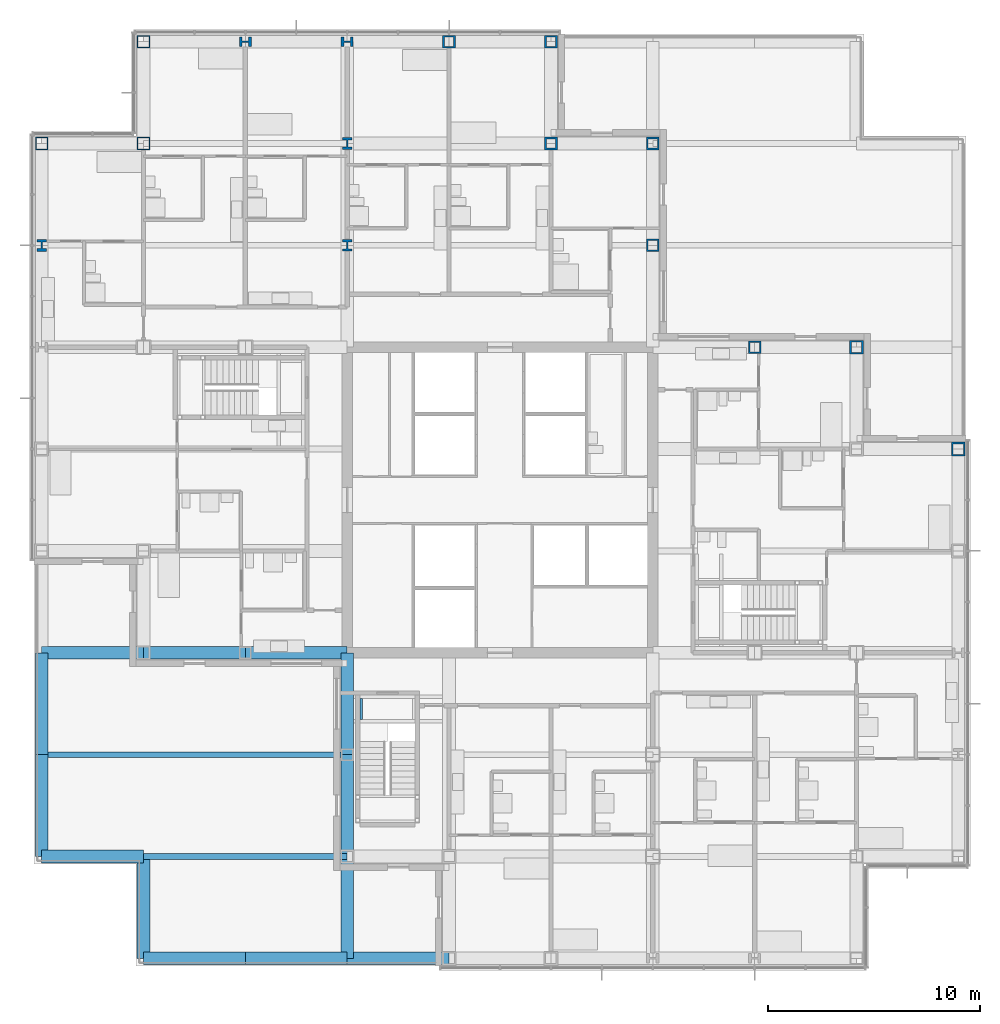
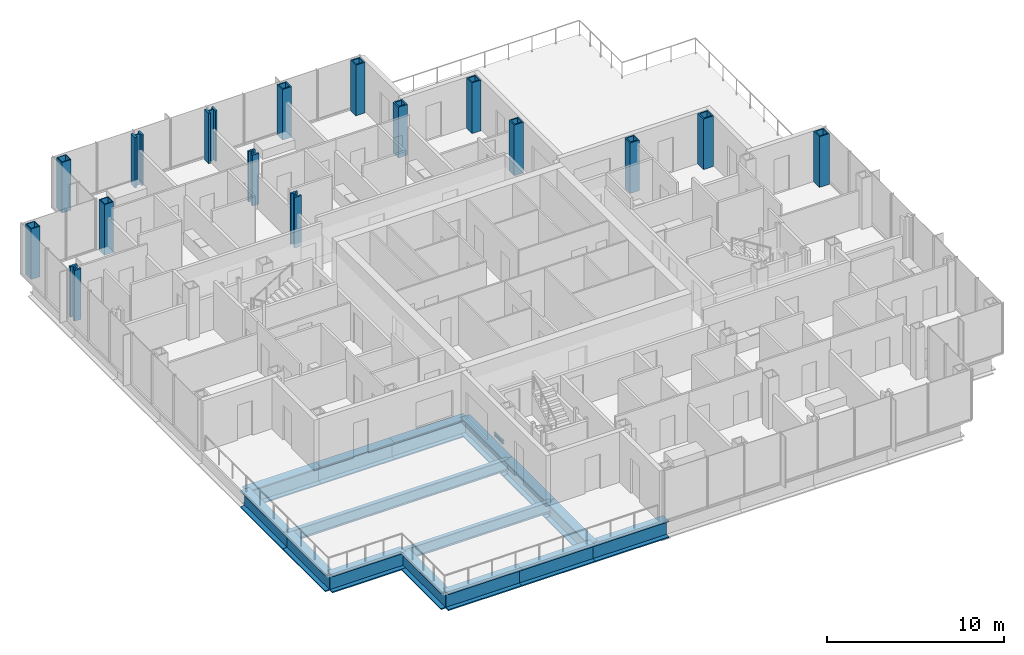
# One storey, part 5 of 19: 16 beams, 16 columns.
"""IFC4 building model written with IfcOpenShell, lengths in metres."""

from ifc_helpers import new_model, si_unit, direction, frame, origin, origin_2d, place, context, subcontext, project, spatial, hollow_rectangle, i_section, extrude, material, material_profile, profile_set, type_object, element, save


model = new_model("IFC4")

# Units and contexts
model_context = context("Model", 3, precision=1e-05, world=origin(), true_north=direction((0.0, 1.0)))
body_context = subcontext(model_context, "Body", "Model", "MODEL_VIEW")
ifc_project = project(units=[si_unit("LENGTHUNIT", "METRE"), si_unit("AREAUNIT", "SQUARE_METRE"), si_unit("VOLUMEUNIT", "CUBIC_METRE"), si_unit("PLANEANGLEUNIT", "RADIAN"), si_unit("MASSUNIT", "GRAM", prefix="KILO")], contexts=[model_context])

# Site, building, storey
site_placement = place(None, origin())
site = spatial("IfcSite", under=ifc_project, at=site_placement, CompositionType="ELEMENT")
building_placement = place(site_placement, origin())
building = spatial("IfcBuilding", under=site, at=building_placement, Name="Kvirike Care Tower", CompositionType="ELEMENT")
storey_placement = place(building_placement, frame((0.0, 0.0, 84.0)))
storey = spatial("IfcBuildingStorey", under=building, at=storey_placement, Name="L22", CompositionType="ELEMENT", Elevation=84.0)

# Columns
ifc_material_1 = material(Name="Steel S460", Category="steel")
ifc_material_profile_1 = material_profile(ifc_material_1, hollow_rectangle(XDim=0.60009765625, YDim=0.60009765625, WallThickness=0.050048828125, at=origin_2d()), Name="BX 600x600x50")
ifc_profile_set_1 = profile_set([ifc_material_profile_1], Name="Steel S460")
column_type_1 = type_object("IfcColumnType", Name="COLUMN BX 600x600x50", PredefinedType="COLUMN", material=ifc_profile_set_1)
for number, where, z_axis, x_axis, name in (
    (1, (0.0, 52.800048828125, 0.0), (0.0, 0.0, 1.0), (0.0, 1.0, 0.0), "Column M3 L22"),
    (2, (4.800048828125, 52.800048828125, 0.0), (0.0, 0.0, 1.0), (0.0, 1.0, 0.0), "Column M4 L22"),
    (3, (4.800048828125, 57.60009765625, 0.0), (0.0, 0.0, 1.0), (0.0, 1.0, 0.0), "Column N4 L22"),
):
    element("IfcColumn", number, at=place(storey_placement, frame(where, z_axis=z_axis, x_axis=x_axis)), inside=storey, type_object=column_type_1, Name=name, PredefinedType="COLUMN", context=body_context, shape_type="SweptSolid", body=[
        extrude(hollow_rectangle(XDim=0.60009765625, YDim=0.60009765625, WallThickness=0.050048828125, at=origin_2d()), origin(), (0.0, 0.0, 1.0), 3.5),
    ])
ifc_material_2 = material(Name="Steel S460", Category="steel")
ifc_material_profile_2 = material_profile(ifc_material_2, hollow_rectangle(XDim=0.60009765625, YDim=0.60009765625, WallThickness=0.080078125, at=origin_2d()), Name="BX 600x600x80")
ifc_profile_set_2 = profile_set([ifc_material_profile_2], Name="Steel S460")
column_type_2 = type_object("IfcColumnType", Name="COLUMN BX 600x600x80", PredefinedType="COLUMN", material=ifc_profile_set_2)
for number, where, z_axis, x_axis, name in (
    (4, (19.199951171875, 57.60009765625, 0.0), (0.0, 0.0, 1.0), (0.0, 1.0, 0.0), "Column N7 L22"),
    (5, (24.0, 52.800048828125, 0.0), (0.0, 0.0, 1.0), (0.0, 1.0, 0.0), "Column M8 L22"),
    (6, (24.0, 57.60009765625, 0.0), (0.0, 0.0, 1.0), (0.0, 1.0, 0.0), "Column N8 L22"),
    (7, (28.800048828125, 48.0, 0.0), (0.0, 0.0, 1.0), (1.0, 0.0, 0.0), "Column L9 L22"),
    (8, (28.800048828125, 52.800048828125, 0.0), (0.0, 0.0, 1.0), (0.0, 1.0, 0.0), "Column M9 L22"),
    (9, (33.60009765625, 43.199951171875, 0.0), (0.0, 0.0, 1.0), (0.0, 1.0, 0.0), "Column K10 L22"),
):
    element("IfcColumn", number, at=place(storey_placement, frame(where, z_axis=z_axis, x_axis=x_axis)), inside=storey, type_object=column_type_2, Name=name, PredefinedType="COLUMN", context=body_context, shape_type="SweptSolid", body=[
        extrude(hollow_rectangle(XDim=0.60009765625, YDim=0.60009765625, WallThickness=0.080078125, at=origin_2d()), origin(), (0.0, 0.0, 1.0), 3.5),
    ])
ifc_material_3 = material(Name="Steel S460", Category="steel")
ifc_material_profile_3 = material_profile(ifc_material_3, hollow_rectangle(XDim=0.64990234375, YDim=0.64990234375, WallThickness=0.080078125, at=origin_2d()), Name="BX 650x650x80")
ifc_profile_set_3 = profile_set([ifc_material_profile_3], Name="Steel S460")
column_type_3 = type_object("IfcColumnType", Name="COLUMN BX 650x650x80", PredefinedType="COLUMN", material=ifc_profile_set_3)
for number, where, z_axis, x_axis, name in (
    (10, (38.39990234375, 43.199951171875, 0.0), (0.0, 0.0, 1.0), (0.0, 1.0, 0.0), "Column K11 L22"),
    (11, (43.199951171875, 38.39990234375, 0.0), (0.0, 0.0, 1.0), (0.0, 1.0, 0.0), "Column J12 L22"),
):
    element("IfcColumn", number, at=place(storey_placement, frame(where, z_axis=z_axis, x_axis=x_axis)), inside=storey, type_object=column_type_3, Name=name, PredefinedType="COLUMN", context=body_context, shape_type="SweptSolid", body=[
        extrude(hollow_rectangle(XDim=0.64990234375, YDim=0.64990234375, WallThickness=0.080078125, at=origin_2d()), origin(), (0.0, 0.0, 1.0), 3.5),
    ])
ifc_material_4 = material(Name="Steel S460", Category="steel")
ifc_material_profile_4 = material_profile(ifc_material_4, i_section(OverallWidth=0.4541015625, OverallDepth=0.569091796875, WebThickness=0.077880859375, FlangeThickness=0.125, FilletRadius=0.014892578125, at=origin_2d()), Name="HD 400x1086")
ifc_profile_set_4 = profile_set([ifc_material_profile_4], Name="Steel S460")
column_type_4 = type_object("IfcColumnType", Name="COLUMN HD 400x1086", PredefinedType="COLUMN", material=ifc_profile_set_4)
for number, where, z_axis, x_axis, name in (
    (12, (0.0, 48.0, 0.0), (0.0, 0.0, 1.0), (1.0, 0.0, 0.0), "Column L3 L22"),
    (13, (9.60009765625, 57.60009765625, 0.0), (0.0, 0.0, 1.0), (0.0, 1.0, 0.0), "Column N5 L22"),
    (14, (14.39990234375, 57.60009765625, 0.0), (0.0, 0.0, 1.0), (0.0, 1.0, 0.0), "Column N6 L22"),
):
    element("IfcColumn", number, at=place(storey_placement, frame(where, z_axis=z_axis, x_axis=x_axis)), inside=storey, type_object=column_type_4, Name=name, PredefinedType="COLUMN", context=body_context, shape_type="SweptSolid", body=[
        extrude(i_section(OverallWidth=0.4541015625, OverallDepth=0.569091796875, WebThickness=0.077880859375, FlangeThickness=0.125, FilletRadius=0.014892578125, at=origin_2d()), origin(), (0.0, 0.0, 1.0), 3.5),
    ])
ifc_material_5 = material(Name="Steel S460", Category="steel")
ifc_material_profile_5 = material_profile(ifc_material_5, i_section(OverallWidth=0.447998046875, OverallDepth=0.550048828125, WebThickness=0.072021484375, FlangeThickness=0.114990234375, FilletRadius=0.014892578125, at=origin_2d()), Name="HD 400x990")
ifc_profile_set_5 = profile_set([ifc_material_profile_5], Name="Steel S460")
column_type_5 = type_object("IfcColumnType", Name="COLUMN HD 400x990", PredefinedType="COLUMN", material=ifc_profile_set_5)
for number, where, z_axis, x_axis, name in (
    (15, (14.39990234375, 48.0, 0.0), (0.0, 0.0, 1.0), (1.0, 0.0, 0.0), "Column L6 L22"),
    (16, (14.39990234375, 52.800048828125, 0.0), (0.0, 0.0, 1.0), (1.0, 0.0, 0.0), "Column M6 L22"),
):
    element("IfcColumn", number, at=place(storey_placement, frame(where, z_axis=z_axis, x_axis=x_axis)), inside=storey, type_object=column_type_5, Name=name, PredefinedType="COLUMN", context=body_context, shape_type="SweptSolid", body=[
        extrude(i_section(OverallWidth=0.447998046875, OverallDepth=0.550048828125, WebThickness=0.072021484375, FlangeThickness=0.114990234375, FilletRadius=0.014892578125, at=origin_2d()), origin(), (0.0, 0.0, 1.0), 3.5),
    ])

# Beams
ifc_material_6 = material(Name="Steel S355", Category="steel")
ifc_material_profile_6 = material_profile(ifc_material_6, i_section(OverallWidth=0.26806640625, OverallDepth=0.77001953125, WebThickness=0.015625, FlangeThickness=0.025390625, FilletRadius=0.01708984375, at=origin_2d()), Name="IPE 750x196")
ifc_profile_set_6 = profile_set([ifc_material_profile_6], Name="Steel S355")
beam_type_1 = type_object("IfcBeamType", Name="FLOOR BEAM IPE 750x196", PredefinedType="BEAM", material=ifc_profile_set_6)
beam_1_placement = place(storey_placement, frame((4.800048828125, 19.199951171875, -0.554931640625), z_axis=(1.0, 0.0, 0.0), x_axis=(0.0, 1.0, 0.0)))
element("IfcBeam", 17, at=beam_1_placement, inside=storey, type_object=beam_type_1, Name="Floor Beam E4-E6 L22", PredefinedType="BEAM", context=body_context, shape_type="SweptSolid", body=[
    extrude(i_section(OverallWidth=0.26806640625, OverallDepth=0.77001953125, WebThickness=0.015625, FlangeThickness=0.025390625, FilletRadius=0.01708984375, at=origin_2d()), origin(), (0.0, 0.0, 1.0), 9.599853515625),
])
beam_2_placement = place(storey_placement, frame((0.0, 24.0, -0.554931640625), z_axis=(1.0, 0.0, 0.0), x_axis=(0.0, 1.0, 0.0)))
element("IfcBeam", 18, at=beam_2_placement, inside=storey, type_object=beam_type_1, Name="Floor Beam F3-F6 L22", PredefinedType="BEAM", context=body_context, shape_type="SweptSolid", body=[
    extrude(i_section(OverallWidth=0.26806640625, OverallDepth=0.77001953125, WebThickness=0.015625, FlangeThickness=0.025390625, FilletRadius=0.01708984375, at=origin_2d()), origin(), (0.0, 0.0, 1.0), 14.39990234375),
])
ifc_material_7 = material(Name="Steel S355", Category="steel")
ifc_material_profile_7 = material_profile(ifc_material_7, i_section(OverallWidth=0.60009765625, OverallDepth=1.199951171875, WebThickness=0.0400390625, FlangeThickness=0.080078125, at=origin_2d()), Name="PG 1200x600x40x80")
ifc_profile_set_7 = profile_set([ifc_material_profile_7], Name="Steel S355")
beam_type_2 = type_object("IfcBeamType", Name="FRAME BEAM PG 1200x600x40x80", PredefinedType="BEAM", material=ifc_profile_set_7)
for number, where, z_axis, x_axis, name in (
    (19, (0.0, 28.800048828125, -0.77001953125), (1.0, 0.0, 0.0), (0.0, 1.0, 0.0), "Frame Beam G3-G4 L22"),
    (20, (14.39990234375, 14.39990234375, -0.77001953125), (0.0, 1.0, 0.0), (-1.0, 0.0, 0.0), "Frame Beam D6-E6 L22"),
):
    element("IfcBeam", number, at=place(storey_placement, frame(where, z_axis=z_axis, x_axis=x_axis)), inside=storey, type_object=beam_type_2, Name=name, PredefinedType="BEAM", context=body_context, shape_type="SweptSolid", body=[
        extrude(i_section(OverallWidth=0.60009765625, OverallDepth=1.199951171875, WebThickness=0.0400390625, FlangeThickness=0.080078125, at=origin_2d()), origin(), (0.0, 0.0, 1.0), 4.800048828125),
    ])
ifc_material_8 = material(Name="Steel S355", Category="steel")
ifc_material_profile_8 = material_profile(ifc_material_8, i_section(OverallWidth=0.60009765625, OverallDepth=1.199951171875, WebThickness=0.0400390625, FlangeThickness=0.080078125, at=origin_2d()), Name="PG 1200x600x40x80")
ifc_profile_set_8 = profile_set([ifc_material_profile_8], Name="Steel S355")
beam_type_3 = type_object("IfcBeamType", Name="SPANDREL PG 1200x600x40x80", PredefinedType="SPANDREL", material=ifc_profile_set_8)
beam_3_placement = place(storey_placement, frame((4.800048828125, 14.39990234375, -0.77001953125), z_axis=(1.0, 0.0, 0.0), x_axis=(0.0, 1.0, 0.0)))
element("IfcBeam", 21, at=beam_3_placement, inside=storey, type_object=beam_type_3, Name="Spandrel D4-D5 L22", PredefinedType="SPANDREL", context=body_context, shape_type="SweptSolid", body=[
    extrude(i_section(OverallWidth=0.60009765625, OverallDepth=1.199951171875, WebThickness=0.0400390625, FlangeThickness=0.080078125, at=origin_2d()), origin(), (0.0, 0.0, 1.0), 4.800048828125),
])
beam_4_placement = place(storey_placement, frame((9.60009765625, 14.39990234375, -0.77001953125), z_axis=(1.0, 0.0, 0.0), x_axis=(0.0, 1.0, 0.0)))
element("IfcBeam", 22, at=beam_4_placement, inside=storey, type_object=beam_type_3, Name="Spandrel D5-D6 L22", PredefinedType="SPANDREL", context=body_context, shape_type="SweptSolid", body=[
    extrude(i_section(OverallWidth=0.60009765625, OverallDepth=1.199951171875, WebThickness=0.0400390625, FlangeThickness=0.080078125, at=origin_2d()), origin(), (0.0, 0.0, 1.0), 4.7998046875),
])
for number, where, z_axis, x_axis, name in (
    (23, (14.39990234375, 14.39990234375, -0.77001953125), (1.0, 0.0, 0.0), (0.0, 1.0, 0.0), "Spandrel D6-D7 L22"),
    (24, (0.0, 19.199951171875, -0.77001953125), (1.0, 0.0, 0.0), (0.0, 1.0, 0.0), "Spandrel E3-E4 L22"),
    (25, (4.800048828125, 28.800048828125, -0.77001953125), (1.0, 0.0, 0.0), (0.0, 1.0, 0.0), "Spandrel G4-G5 L22"),
):
    element("IfcBeam", number, at=place(storey_placement, frame(where, z_axis=z_axis, x_axis=x_axis)), inside=storey, type_object=beam_type_3, Name=name, PredefinedType="SPANDREL", context=body_context, shape_type="SweptSolid", body=[
        extrude(i_section(OverallWidth=0.60009765625, OverallDepth=1.199951171875, WebThickness=0.0400390625, FlangeThickness=0.080078125, at=origin_2d()), origin(), (0.0, 0.0, 1.0), 4.800048828125),
    ])
beam_5_placement = place(storey_placement, frame((9.60009765625, 28.800048828125, -0.77001953125), z_axis=(1.0, 0.0, 0.0), x_axis=(0.0, 1.0, 0.0)))
element("IfcBeam", 26, at=beam_5_placement, inside=storey, type_object=beam_type_3, Name="Spandrel G5-G6 L22", PredefinedType="SPANDREL", context=body_context, shape_type="SweptSolid", body=[
    extrude(i_section(OverallWidth=0.60009765625, OverallDepth=1.199951171875, WebThickness=0.0400390625, FlangeThickness=0.080078125, at=origin_2d()), origin(), (0.0, 0.0, 1.0), 4.7998046875),
])
for number, where, z_axis, x_axis, name in (
    (27, (0.0, 19.199951171875, -0.77001953125), (0.0, 1.0, 0.0), (-1.0, 0.0, 0.0), "Spandrel E3-F3 L22"),
    (28, (0.0, 24.0, -0.77001953125), (0.0, 1.0, 0.0), (-1.0, 0.0, 0.0), "Spandrel F3-G3 L22"),
    (29, (4.800048828125, 14.39990234375, -0.77001953125), (0.0, 1.0, 0.0), (-1.0, 0.0, 0.0), "Spandrel D4-E4 L22"),
    (30, (14.39990234375, 19.199951171875, -0.77001953125), (0.0, 1.0, 0.0), (-1.0, 0.0, 0.0), "Spandrel E6-F6 L22"),
    (31, (14.39990234375, 24.0, -0.77001953125), (0.0, 1.0, 0.0), (-1.0, 0.0, 0.0), "Spandrel F6-G6 L22"),
):
    element("IfcBeam", number, at=place(storey_placement, frame(where, z_axis=z_axis, x_axis=x_axis)), inside=storey, type_object=beam_type_3, Name=name, PredefinedType="SPANDREL", context=body_context, shape_type="SweptSolid", body=[
        extrude(i_section(OverallWidth=0.60009765625, OverallDepth=1.199951171875, WebThickness=0.0400390625, FlangeThickness=0.080078125, at=origin_2d()), origin(), (0.0, 0.0, 1.0), 4.800048828125),
    ])
ifc_material_9 = material(Name="Steel S355", Category="steel")
ifc_material_profile_9 = material_profile(ifc_material_9, i_section(OverallWidth=0.1201171875, OverallDepth=0.239990234375, WebThickness=0.006103515625, FlangeThickness=0.009765625, FilletRadius=0.014892578125, at=origin_2d()), Name="IPE 240")
ifc_profile_set_9 = profile_set([ifc_material_profile_9], Name="Steel S355")
beam_type_4 = type_object("IfcBeamType", Name="STAIR LANDING BEAM IPE 240", PredefinedType="BEAM", material=ifc_profile_set_9)
beam_6_placement = place(storey_placement, frame((15.06005859375, 25.64990234375, -0.320068359375), z_axis=(0.0, 1.0, 0.0), x_axis=(-1.0, 0.0, 0.0)))
element("IfcBeam", 32, at=beam_6_placement, inside=storey, type_object=beam_type_4, Name="Stair 5 landing edge beam 1 L22", PredefinedType="BEAM", context=body_context, shape_type="SweptSolid", body=[
    extrude(i_section(OverallWidth=0.1201171875, OverallDepth=0.239990234375, WebThickness=0.006103515625, FlangeThickness=0.009765625, FilletRadius=0.014892578125, at=origin_2d()), origin(), (0.0, 0.0, 1.0), 1.0),
])

save(model, "model.ifc")
